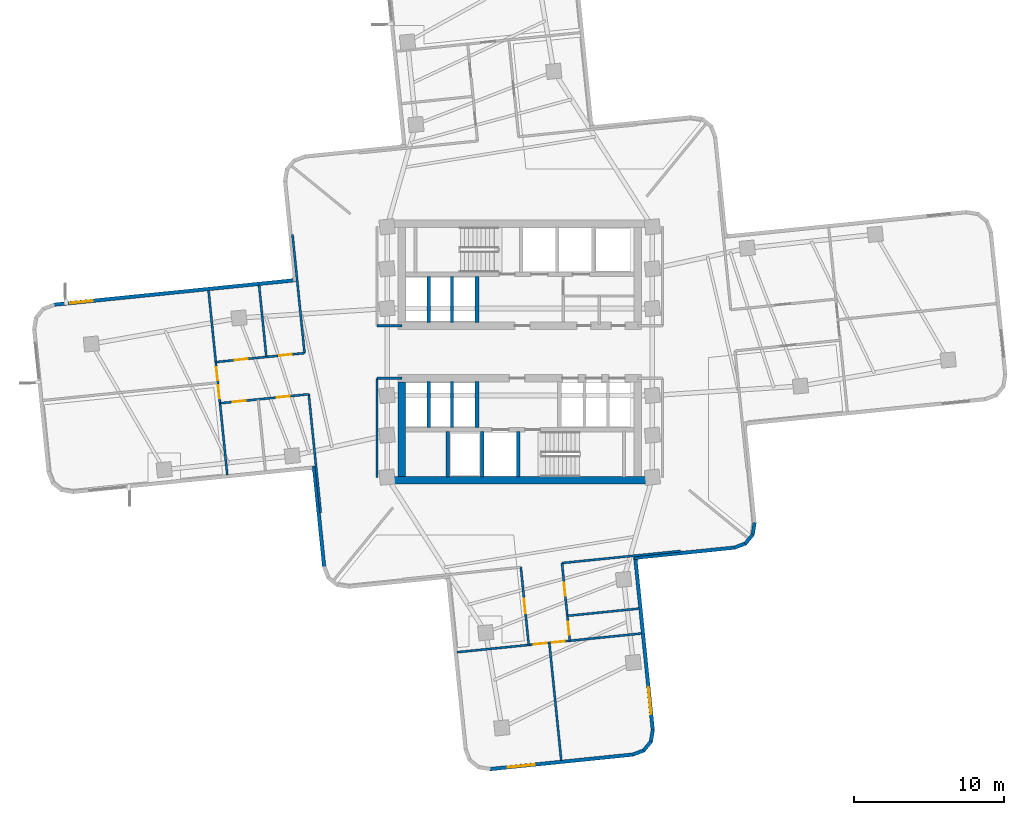
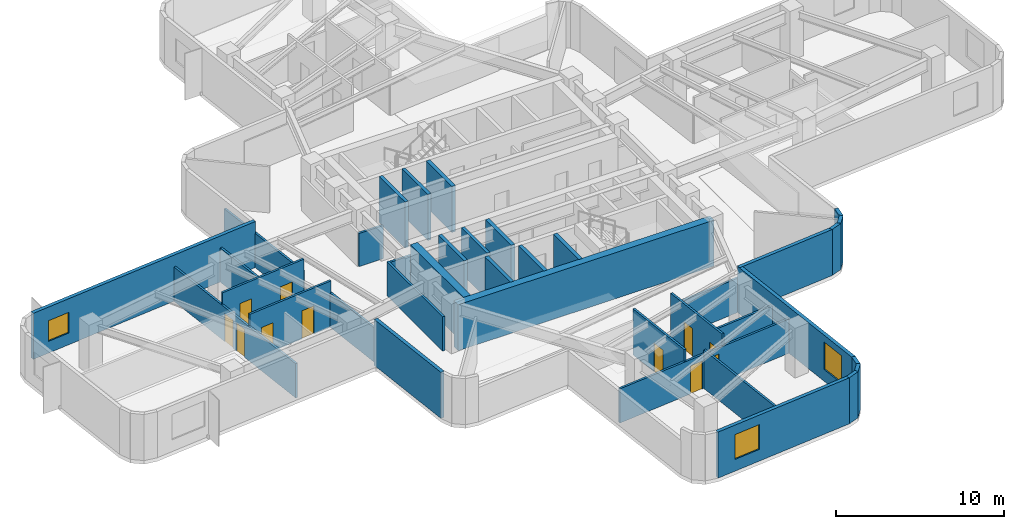
# One storey, part 3 of 9: 37 walls, 11 doors, 3 windows, 14 openings.
"""IFC4 building model written with IfcOpenShell, lengths in metres."""

from ifc_helpers import new_model, si_unit, direction, frame, frame_2d, origin, place, context, subcontext, project, spatial, rectangle, extrude, material, layer, layer_set, type_object, element, fill, save


model = new_model("IFC4")

# Units and contexts
model_context = context("Model", 3, precision=1e-05, world=origin(), true_north=direction((0.0, 1.0)))
body_context = subcontext(model_context, "Body", "Model", "MODEL_VIEW")
ifc_project = project(units=[si_unit("LENGTHUNIT", "METRE"), si_unit("AREAUNIT", "SQUARE_METRE"), si_unit("VOLUMEUNIT", "CUBIC_METRE"), si_unit("PLANEANGLEUNIT", "RADIAN"), si_unit("MASSUNIT", "GRAM", prefix="KILO")], contexts=[model_context])

# Site, building, storey
site_placement = place(None, origin())
site = spatial("IfcSite", under=ifc_project, at=site_placement, CompositionType="ELEMENT")
building_placement = place(site_placement, origin())
building = spatial("IfcBuilding", under=site, at=building_placement, Name="Solmarez Civic Tower", CompositionType="ELEMENT")
storey_placement = place(building_placement, frame((0.0, 0.0, 71.280029296875)))
storey = spatial("IfcBuildingStorey", under=building, at=storey_placement, Name="L18", CompositionType="ELEMENT", Elevation=71.280029296875)

# Walls
ifc_material_1 = material(Name="Concrete C60/75", Category="concrete")
ifc_layer_1 = layer(ifc_material_1, 0.5)
ifc_layer_set_1 = layer_set([ifc_layer_1], Name="Concrete C60/75")
wall_type_1 = type_object("IfcWallType", Name="WALL-CORE-500", PredefinedType="SHEAR", material=ifc_layer_set_1)
wall_1_placement = place(storey_placement, frame((8.780029296875, -8.56005859375, 0.0), z_axis=(0.0, 0.0, 1.0), x_axis=(-1.0, 0.0, 0.0)))
element("IfcWall", 1, at=wall_1_placement, inside=storey, type_object=wall_type_1, Name="L18 Split-Core Structural Wall SCW-S-L18", PredefinedType="SHEAR", context=body_context, shape_type="SweptSolid", body=[
    extrude(rectangle(XDim=17.56005859375, YDim=0.5, at=frame_2d((8.780029296875, 0.0))), origin(), (0.0, 0.0, 1.0), 3.340087890625),
])
wall_2_placement = place(storey_placement, frame((-7.8701171875, -8.31005859375, 0.0), z_axis=(0.0, 0.0, 1.0), x_axis=(0.0, 1.0, 0.0)))
element("IfcWall", 2, at=wall_2_placement, inside=storey, type_object=wall_type_1, Name="L18 Split-Core Structural Wall SCW-W-L18", PredefinedType="SHEAR", context=body_context, shape_type="SweptSolid", body=[
    extrude(rectangle(XDim=6.31005859375, YDim=0.5, at=frame_2d((3.155029296875, 0.0))), origin(), (0.0, 0.0, 1.0), 3.340087890625),
])

# Wall, opening, window
ifc_material_2 = material(Name="Precast concrete C40/50", Category="concrete")
ifc_layer_2 = layer(ifc_material_2, 0.239990234375)
ifc_layer_set_2 = layer_set([ifc_layer_2], Name="Precast concrete C40/50")
wall_type_2 = type_object("IfcWallType", Name="WALL-EXT-240", PredefinedType="SOLIDWALL", material=ifc_layer_set_2)
wall_3_placement = place(storey_placement, frame((-31.0869140625, 3.154052734375, 0.0), z_axis=(0.0, 0.0, 1.0), x_axis=(0.994872777564, 0.101134348577, 0.0)))
wall_3 = element("IfcWall", 3, at=wall_3_placement, inside=storey, type_object=wall_type_2, Name="L18 Exterior Precast Wall 10", PredefinedType="SOLIDWALL", context=body_context, shape_type="SweptSolid", body=[
    extrude(rectangle(XDim=16.275390625, YDim=0.239990234375, at=frame_2d((8.1376953125, 0.0))), origin(), (0.0, 0.0, 1.0), 3.340087890625),
])
opening_1_placement = place(wall_3_placement, frame((1.10009765625, 0.0, 0.85009765625)))
opening_1 = element("IfcOpeningElement", 4, at=opening_1_placement, cuts=wall_3, Name="Opening W-14", PredefinedType="OPENING", context=body_context, shape_type="SweptSolid", body=[
    extrude(rectangle(XDim=1.5, YDim=1.5, at=frame_2d((0.75, 0.75))), frame((0.0, 0.1298828125, 0.0), z_axis=(0.0, -1.0, 0.0), x_axis=(1.0, 0.0, 0.0)), (0.0, 0.0, 1.0), 0.260009765625),
])
ifc_material_3 = material(Name="Solar Control Bronze-Tinted Insulating Glass", Category="glass")
window_type_1 = type_object("IfcWindowType", Name="WIN-1500X1500", PartitioningType="SINGLE_PANEL", PredefinedType="WINDOW", material=ifc_material_3)
window_1_placement = place(opening_1_placement, origin())
window_1 = element("IfcWindow", 5, at=window_1_placement, inside=storey, type_object=window_type_1, Name="L18 Exterior Facade Window 10", OverallHeight=1.5, OverallWidth=1.5, PartitioningType="SINGLE_PANEL", PredefinedType="WINDOW", context=body_context, shape_type="SweptSolid", body=[
    extrude(rectangle(XDim=1.5, YDim=1.5, at=frame_2d((0.75, 0.75))), frame((0.0, 0.030029296875, 0.0), z_axis=(0.0, -1.0, 0.0), x_axis=(1.0, 0.0, 0.0)), (0.0, 0.0, 1.0), 0.06005859375),
])
fill(opening_1, window_1)

# Walls
wall_4_placement = place(storey_placement, frame((15.6669921875, -11.385009765625, 0.0), z_axis=(0.0, 0.0, 1.0), x_axis=(-0.160156284613, -0.987091669755, 0.0)))
element("IfcWall", 6, at=wall_4_placement, inside=storey, type_object=wall_type_2, Name="L18 Exterior Precast Wall 50", PredefinedType="SOLIDWALL", context=body_context, shape_type="SweptSolid", body=[
    extrude(rectangle(XDim=0.830810546875, YDim=0.239990234375, at=frame_2d((0.41552734375, 0.0))), origin(), (0.0, 0.0, 1.0), 3.340087890625),
])
wall_5_placement = place(storey_placement, frame((15.553955078125, -12.160888671875, 0.0), z_axis=(0.0, 0.0, 1.0), x_axis=(-0.632027096542, -0.774946287969, 0.0)))
element("IfcWall", 7, at=wall_5_placement, inside=storey, type_object=wall_type_2, Name="L18 Exterior Precast Wall 51", PredefinedType="SOLIDWALL", context=body_context, shape_type="SweptSolid", body=[
    extrude(rectangle(XDim=0.813232421875, YDim=0.239990234375, at=frame_2d((0.40673828125, 0.0))), origin(), (0.0, 0.0, 1.0), 3.340087890625),
])
wall_6_placement = place(storey_placement, frame((15.0791015625, -12.762939453125, 0.0), z_axis=(0.0, 0.0, 1.0), x_axis=(-0.934687869602, -0.355469529522, 0.0)))
element("IfcWall", 8, at=wall_6_placement, inside=storey, type_object=wall_type_2, Name="L18 Exterior Precast Wall 52", PredefinedType="SOLIDWALL", context=body_context, shape_type="SweptSolid", body=[
    extrude(rectangle(XDim=0.830322265625, YDim=0.239990234375, at=frame_2d((0.4150390625, 0.0))), origin(), (0.0, 0.0, 1.0), 3.340087890625),
])
wall_7_placement = place(storey_placement, frame((14.35107421875, -13.0458984375, 0.0), z_axis=(0.0, 0.0, 1.0), x_axis=(-0.994861212257, -0.101248053545, 0.0)))
element("IfcWall", 9, at=wall_7_placement, inside=storey, type_object=wall_type_2, Name="L18 Exterior Precast Wall 53", PredefinedType="SOLIDWALL", context=body_context, shape_type="SweptSolid", body=[
    extrude(rectangle(XDim=6.77587890625, YDim=0.239990234375, at=frame_2d((3.387939453125, 0.0))), origin(), (0.0, 0.0, 1.0), 3.340087890625),
])

# Wall, opening, window
wall_8_placement = place(storey_placement, frame((7.696044921875, -13.6259765625, 0.0), z_axis=(0.0, 0.0, 1.0), x_axis=(0.101141181304, -0.994872082956, 0.0)))
wall_8 = element("IfcWall", 10, at=wall_8_placement, inside=storey, type_object=wall_type_2, Name="L18 Exterior Precast Wall 56", PredefinedType="SOLIDWALL", context=body_context, shape_type="SweptSolid", body=[
    extrude(rectangle(XDim=11.67578125, YDim=0.239990234375, at=frame_2d((5.837890625, 0.0))), origin(), (0.0, 0.0, 1.0), 3.340087890625),
])
opening_2_placement = place(wall_8_placement, frame((8.77587890625, 0.0, 0.85009765625)))
opening_2 = element("IfcOpeningElement", 11, at=opening_2_placement, cuts=wall_8, Name="Opening W-04", PredefinedType="OPENING", context=body_context, shape_type="SweptSolid", body=[
    extrude(rectangle(XDim=1.800048828125, YDim=2.0, at=frame_2d((0.89990234375, 1.0))), frame((0.0, 0.1298828125, 0.0), z_axis=(0.0, -1.0, 0.0), x_axis=(1.0, 0.0, 0.0)), (0.0, 0.0, 1.0), 0.260009765625),
])
window_type_2 = type_object("IfcWindowType", Name="WIN-1800X2000", PartitioningType="SINGLE_PANEL", PredefinedType="WINDOW", material=ifc_material_3)
window_2_placement = place(opening_2_placement, origin())
window_2 = element("IfcWindow", 12, at=window_2_placement, inside=storey, type_object=window_type_2, Name="L18 Exterior Facade Window 56", OverallHeight=2.0, OverallWidth=1.800048828125, PartitioningType="SINGLE_PANEL", PredefinedType="WINDOW", context=body_context, shape_type="SweptSolid", body=[
    extrude(rectangle(XDim=1.800048828125, YDim=2.0, at=frame_2d((0.89990234375, 1.0))), frame((0.0, 0.030029296875, 0.0), z_axis=(0.0, -1.0, 0.0), x_axis=(1.0, 0.0, 0.0)), (0.0, 0.0, 1.0), 0.06005859375),
])
fill(opening_2, window_2)

# Walls
wall_9_placement = place(storey_placement, frame((8.8779296875, -25.19189453125, 0.0), z_axis=(0.0, 0.0, 1.0), x_axis=(-0.159869937309, -0.987138087172, 0.0)))
element("IfcWall", 13, at=wall_9_placement, inside=storey, type_object=wall_type_2, Name="L18 Exterior Precast Wall 57", PredefinedType="SOLIDWALL", context=body_context, shape_type="SweptSolid", body=[
    extrude(rectangle(XDim=0.830810546875, YDim=0.239990234375, at=frame_2d((0.41552734375, 0.0))), origin(), (0.0, 0.0, 1.0), 3.340087890625),
])
wall_10_placement = place(storey_placement, frame((8.764892578125, -25.968017578125, 0.0), z_axis=(0.0, 0.0, 1.0), x_axis=(-0.632894553208, -0.774238002503, 0.0)))
element("IfcWall", 14, at=wall_10_placement, inside=storey, type_object=wall_type_2, Name="L18 Exterior Precast Wall 58", PredefinedType="SOLIDWALL", context=body_context, shape_type="SweptSolid", body=[
    extrude(rectangle(XDim=0.8134765625, YDim=0.239990234375, at=frame_2d((0.40673828125, 0.0))), origin(), (0.0, 0.0, 1.0), 3.340087890625),
])
wall_11_placement = place(storey_placement, frame((8.2890625, -26.570068359375, 0.0), z_axis=(0.0, 0.0, 1.0), x_axis=(-0.934636879952, -0.355603575113, 0.0)))
element("IfcWall", 15, at=wall_11_placement, inside=storey, type_object=wall_type_2, Name="L18 Exterior Precast Wall 59", PredefinedType="SOLIDWALL", context=body_context, shape_type="SweptSolid", body=[
    extrude(rectangle(XDim=0.829345703125, YDim=0.239990234375, at=frame_2d((0.41455078125, 0.0))), origin(), (0.0, 0.0, 1.0), 3.340087890625),
])

# Wall, opening, window
wall_12_placement = place(storey_placement, frame((7.56201171875, -26.85302734375, 0.0), z_axis=(0.0, 0.0, 1.0), x_axis=(-0.994872257291, -0.101139466448, 0.0)))
wall_12 = element("IfcWall", 16, at=wall_12_placement, inside=storey, type_object=wall_type_2, Name="L18 Exterior Precast Wall 60", PredefinedType="SOLIDWALL", context=body_context, shape_type="SweptSolid", body=[
    extrude(rectangle(XDim=9.619384765625, YDim=0.239990234375, at=frame_2d((4.8095703125, 0.0))), origin(), (0.0, 0.0, 1.0), 3.340087890625),
])
opening_3_placement = place(wall_12_placement, frame((6.60302734375, 0.0, 0.85009765625)))
opening_3 = element("IfcOpeningElement", 17, at=opening_3_placement, cuts=wall_12, Name="Opening W-08", PredefinedType="OPENING", context=body_context, shape_type="SweptSolid", body=[
    extrude(rectangle(XDim=1.800048828125, YDim=1.800048828125, at=frame_2d((0.89990234375, 0.89990234375))), frame((0.0, 0.1298828125, 0.0), z_axis=(0.0, -1.0, 0.0), x_axis=(1.0, 0.0, 0.0)), (0.0, 0.0, 1.0), 0.260009765625),
])
window_type_3 = type_object("IfcWindowType", Name="WIN-1800X1800", PartitioningType="SINGLE_PANEL", PredefinedType="WINDOW", material=ifc_material_3)
window_3_placement = place(opening_3_placement, origin())
window_3 = element("IfcWindow", 18, at=window_3_placement, inside=storey, type_object=window_type_3, Name="L18 Exterior Facade Window 60", OverallHeight=1.800048828125, OverallWidth=1.800048828125, PartitioningType="SINGLE_PANEL", PredefinedType="WINDOW", context=body_context, shape_type="SweptSolid", body=[
    extrude(rectangle(XDim=1.800048828125, YDim=1.800048828125, at=frame_2d((0.89990234375, 0.89990234375))), frame((0.0, 0.030029296875, 0.0), z_axis=(0.0, -1.0, 0.0), x_axis=(1.0, 0.0, 0.0)), (0.0, 0.0, 1.0), 0.06005859375),
])
fill(opening_3, window_3)

# Walls
wall_13_placement = place(storey_placement, frame((-13.0458984375, -14.35107421875, 0.0), z_axis=(0.0, 0.0, 1.0), x_axis=(-0.101248053545, 0.994861212257, 0.0)))
element("IfcWall", 19, at=wall_13_placement, inside=storey, type_object=wall_type_2, Name="L18 Exterior Precast Wall 71", PredefinedType="SOLIDWALL", context=body_context, shape_type="SweptSolid", body=[
    extrude(rectangle(XDim=6.77587890625, YDim=0.239990234375, at=frame_2d((3.387939453125, 0.0))), origin(), (0.0, 0.0, 1.0), 3.340087890625),
])
ifc_material_4 = material(Name="Gypsum Board Acoustic Steel-Stud Partition", Category="steel")
ifc_layer_3 = layer(ifc_material_4, 0.14990234375)
ifc_layer_set_3 = layer_set([ifc_layer_3], Name="Gypsum Board Acoustic Steel-Stud Partition")
wall_type_3 = type_object("IfcWallType", Name="WALL-INT-FIRE-150", PredefinedType="PARTITIONING", material=ifc_layer_set_3)
wall_14_placement = place(storey_placement, frame((-7.85009765625, 1.75, 0.0), z_axis=(0.0, 0.0, 1.0), x_axis=(-1.0, 0.0, 0.0)))
element("IfcWall", 20, at=wall_14_placement, inside=storey, type_object=wall_type_3, Name="L18 Interior Partition CHW-L18-WN3", PredefinedType="PARTITIONING", context=body_context, shape_type="SweptSolid", body=[
    extrude(rectangle(XDim=1.669921875, YDim=0.14990234375, at=frame_2d((0.8349609375, 0.0))), origin(), (0.0, 0.0, 1.0), 2.405029296875),
])
wall_15_placement = place(storey_placement, frame((-9.52001953125, -8.3798828125, 0.0), z_axis=(0.0, 0.0, 1.0), x_axis=(0.0, 1.0, 0.0)))
element("IfcWall", 21, at=wall_15_placement, inside=storey, type_object=wall_type_3, Name="L18 Interior Partition CHW-L18-WS1", PredefinedType="PARTITIONING", context=body_context, shape_type="SweptSolid", body=[
    extrude(rectangle(XDim=6.6298828125, YDim=0.14990234375, at=frame_2d((3.31494140625, 0.0))), origin(), (0.0, 0.0, 1.0), 2.486083984375),
])
wall_16_placement = place(storey_placement, frame((-7.85009765625, -1.75, 0.0), z_axis=(0.0, 0.0, 1.0), x_axis=(-1.0, 0.0, 0.0)))
element("IfcWall", 22, at=wall_16_placement, inside=storey, type_object=wall_type_3, Name="L18 Interior Partition CHW-L18-WS3", PredefinedType="PARTITIONING", context=body_context, shape_type="SweptSolid", body=[
    extrude(rectangle(XDim=1.669921875, YDim=0.14990234375, at=frame_2d((0.8349609375, 0.0))), origin(), (0.0, 0.0, 1.0), 2.405029296875),
])
ifc_layer_4 = layer(ifc_material_4, 0.14501953125)
ifc_layer_set_4 = layer_set([ifc_layer_4], Name="Gypsum Board Acoustic Steel-Stud Partition")
wall_type_4 = type_object("IfcWallType", Name="WALL-INT-PART-150", PredefinedType="PARTITIONING", material=ifc_layer_set_4)
for number, where, z_axis, x_axis, name in (
    (23, (-14.077880859375, -2.806884765625, 0.0), (0.0, 0.0, 1.0), (0.100884076592, -0.994898187299, 0.0), "L18 Interior Partition PT-L18-W-EFL"),
    (24, (-15.158935546875, 7.827880859375, 0.0), (0.0, 0.0, 1.0), (0.101130341041, -0.994873184944, 0.0), "L18 Interior Partition PT-L18-W-EFR"),
):
    element("IfcWall", number, at=place(storey_placement, frame(where, z_axis=z_axis, x_axis=x_axis)), inside=storey, type_object=wall_type_4, Name=name, PredefinedType="PARTITIONING", context=body_context, shape_type="SweptSolid", body=[
        extrude(rectangle(XDim=7.94970703125, YDim=0.14501953125, at=frame_2d((3.974853515625, 0.0))), origin(), (0.0, 0.0, 1.0), 2.486083984375),
    ])
wall_17_placement = place(storey_placement, frame((-17.389892578125, 4.4599609375, 0.0), z_axis=(0.0, 0.0, 1.0), x_axis=(0.101126974355, -0.994873527167, 0.0)))
element("IfcWall", 25, at=wall_17_placement, inside=storey, type_object=wall_type_4, Name="L18 Interior Partition PT-L18-W-RM", PredefinedType="PARTITIONING", context=body_context, shape_type="SweptSolid", body=[
    extrude(rectangle(XDim=4.794677734375, YDim=0.14501953125, at=frame_2d((2.3974609375, 0.0))), origin(), (0.0, 0.0, 1.0), 2.486083984375),
])

# Wall, openings, doors
wall_18_placement = place(storey_placement, frame((-19.9970703125, -3.41796875, 0.0), z_axis=(0.0, 0.0, 1.0), x_axis=(0.994885342511, 0.101010669028, 0.0)))
wall_18 = element("IfcWall", 26, at=wall_18_placement, inside=storey, type_object=wall_type_4, Name="L18 Interior Partition PT-L18-W-SL", PredefinedType="PARTITIONING", context=body_context, shape_type="SweptSolid", body=[
    extrude(rectangle(XDim=5.95068359375, YDim=0.14501953125, at=frame_2d((2.975341796875, 0.0))), origin(), (0.0, 0.0, 1.0), 3.340087890625),
])
opening_4_placement = place(wall_18_placement, frame((3.824951171875, 0.0, 0.0)))
opening_4 = element("IfcOpeningElement", 27, at=opening_4_placement, cuts=wall_18, Name="Opening D-14", PredefinedType="OPENING", context=body_context, shape_type="SweptSolid", body=[
    extrude(rectangle(XDim=0.860107421875, YDim=2.0400390625, at=frame_2d((0.43017578125, 1.02001953125))), frame((0.0, 0.08251953125, 0.0), z_axis=(0.0, -1.0, 0.0), x_axis=(1.0, 0.0, 0.0)), (0.0, 0.0, 1.0), 0.1650390625),
])
opening_5_placement = place(wall_18_placement, frame((0.85009765625, 0.0, 0.0)))
opening_5 = element("IfcOpeningElement", 28, at=opening_5_placement, cuts=wall_18, Name="Opening D-14", PredefinedType="OPENING", context=body_context, shape_type="SweptSolid", body=[
    extrude(rectangle(XDim=0.860107421875, YDim=2.0400390625, at=frame_2d((0.43017578125, 1.02001953125))), frame((0.0, 0.08251953125, 0.0), z_axis=(0.0, -1.0, 0.0), x_axis=(1.0, 0.0, 0.0)), (0.0, 0.0, 1.0), 0.1650390625),
])
ifc_material_5 = material(Name="Timber Storage and Pantry Door", Category="wood")
door_type_1 = type_object("IfcDoorType", Name="DOOR-INT-850", OperationType="NOTDEFINED", PredefinedType="DOOR", material=ifc_material_5)
door_1_placement = place(opening_4_placement, origin())
door_1 = element("IfcDoor", 29, at=door_1_placement, inside=storey, type_object=door_type_1, Name="L18 Municipal Mailroom First West Door", OperationType="SINGLE_SWING_LEFT", OverallHeight=2.0400390625, OverallWidth=0.860107421875, PredefinedType="DOOR", context=body_context, shape_type="SweptSolid", body=[
    extrude(rectangle(XDim=0.860107421875, YDim=2.0400390625, at=frame_2d((0.43017578125, 1.02001953125))), frame((0.0, 0.02490234375, 0.0), z_axis=(0.0, -1.0, 0.0), x_axis=(1.0, 0.0, 0.0)), (0.0, 0.0, 1.0), 0.050048828125),
])
fill(opening_4, door_1)
door_2_placement = place(opening_5_placement, origin())
door_2 = element("IfcDoor", 30, at=door_2_placement, inside=storey, type_object=door_type_1, Name="L18 Staff Tea Pantry Second West Door", OperationType="SINGLE_SWING_RIGHT", OverallHeight=2.0400390625, OverallWidth=0.860107421875, PredefinedType="DOOR", context=body_context, shape_type="SweptSolid", body=[
    extrude(rectangle(XDim=0.860107421875, YDim=2.0400390625, at=frame_2d((0.43017578125, 1.02001953125))), frame((0.0, 0.02490234375, 0.0), z_axis=(0.0, -1.0, 0.0), x_axis=(1.0, 0.0, 0.0)), (0.0, 0.0, 1.0), 0.050048828125),
])
fill(opening_5, door_2)

wall_19_placement = place(storey_placement, frame((-14.35595703125, -0.071044921875, 0.0), z_axis=(0.0, 0.0, 1.0), x_axis=(-0.994884923871, -0.101014792254, 0.0)))
wall_19 = element("IfcWall", 31, at=wall_19_placement, inside=storey, type_object=wall_type_4, Name="L18 Interior Partition PT-L18-W-SR", PredefinedType="PARTITIONING", context=body_context, shape_type="SweptSolid", body=[
    extrude(rectangle(XDim=5.950439453125, YDim=0.14501953125, at=frame_2d((2.97509765625, 0.0))), origin(), (0.0, 0.0, 1.0), 3.340087890625),
])
opening_6_placement = place(wall_19_placement, frame((0.85009765625, 0.0, 0.0)))
opening_6 = element("IfcOpeningElement", 32, at=opening_6_placement, cuts=wall_19, Name="Opening D-14", PredefinedType="OPENING", context=body_context, shape_type="SweptSolid", body=[
    extrude(rectangle(XDim=0.860107421875, YDim=2.0400390625, at=frame_2d((0.43017578125, 1.02001953125))), frame((0.0, 0.08251953125, 0.0), z_axis=(0.0, -1.0, 0.0), x_axis=(1.0, 0.0, 0.0)), (0.0, 0.0, 1.0), 0.1650390625),
])
opening_7_placement = place(wall_19_placement, frame((3.824951171875, 0.0, 0.0)))
opening_7 = element("IfcOpeningElement", 33, at=opening_7_placement, cuts=wall_19, Name="Opening D-14", PredefinedType="OPENING", context=body_context, shape_type="SweptSolid", body=[
    extrude(rectangle(XDim=0.860107421875, YDim=2.0400390625, at=frame_2d((0.43017578125, 1.02001953125))), frame((0.0, 0.08251953125, 0.0), z_axis=(0.0, -1.0, 0.0), x_axis=(1.0, 0.0, 0.0)), (0.0, 0.0, 1.0), 0.1650390625),
])
door_3_placement = place(opening_6_placement, origin())
door_3 = element("IfcDoor", 34, at=door_3_placement, inside=storey, type_object=door_type_1, Name="L18 Co-Working Policy Workspace Third West Door", OperationType="SINGLE_SWING_RIGHT", OverallHeight=2.0400390625, OverallWidth=0.860107421875, PredefinedType="DOOR", context=body_context, shape_type="SweptSolid", body=[
    extrude(rectangle(XDim=0.860107421875, YDim=2.0400390625, at=frame_2d((0.43017578125, 1.02001953125))), frame((0.0, 0.02490234375, 0.0), z_axis=(0.0, -1.0, 0.0), x_axis=(1.0, 0.0, 0.0)), (0.0, 0.0, 1.0), 0.050048828125),
])
fill(opening_6, door_3)
door_4_placement = place(opening_7_placement, origin())
door_4 = element("IfcDoor", 35, at=door_4_placement, inside=storey, type_object=door_type_1, Name="L18 Breakout Huddle Room Fourth West Door", OperationType="SINGLE_SWING_LEFT", OverallHeight=2.0400390625, OverallWidth=0.860107421875, PredefinedType="DOOR", context=body_context, shape_type="SweptSolid", body=[
    extrude(rectangle(XDim=0.860107421875, YDim=2.0400390625, at=frame_2d((0.43017578125, 1.02001953125))), frame((0.0, 0.02490234375, 0.0), z_axis=(0.0, -1.0, 0.0), x_axis=(1.0, 0.0, 0.0)), (0.0, 0.0, 1.0), 0.050048828125),
])
fill(opening_7, door_4)

wall_20_placement = place(storey_placement, frame((-19.510009765625, -8.208984375, 0.0), z_axis=(0.0, 0.0, 1.0), x_axis=(-0.101042864496, 0.99488207318, 0.0)))
wall_20 = element("IfcWall", 36, at=wall_20_placement, inside=storey, type_object=wall_type_4, Name="L18 Interior Partition PT-L18-W-END", PredefinedType="PARTITIONING", context=body_context, shape_type="SweptSolid", body=[
    extrude(rectangle(XDim=12.390380859375, YDim=0.14501953125, at=frame_2d((6.1953125, 0.0))), origin(), (0.0, 0.0, 1.0), 2.486083984375),
])
opening_8_placement = place(wall_20_placement, frame((6.364990234375, 0.0, 0.0)))
opening_8 = element("IfcOpeningElement", 37, at=opening_8_placement, cuts=wall_20, Name="Opening D-14", PredefinedType="OPENING", context=body_context, shape_type="SweptSolid", body=[
    extrude(rectangle(XDim=0.860107421875, YDim=2.0400390625, at=frame_2d((0.43017578125, 1.02001953125))), frame((0.0, 0.08251953125, 0.0), z_axis=(0.0, -1.0, 0.0), x_axis=(1.0, 0.0, 0.0)), (0.0, 0.0, 1.0), 0.1650390625),
])
opening_9_placement = place(wall_20_placement, frame((5.1650390625, 0.0, 0.0)))
opening_9 = element("IfcOpeningElement", 38, at=opening_9_placement, cuts=wall_20, Name="Opening D-14", PredefinedType="OPENING", context=body_context, shape_type="SweptSolid", body=[
    extrude(rectangle(XDim=0.860107421875, YDim=2.0400390625, at=frame_2d((0.43017578125, 1.02001953125))), frame((0.0, 0.08251953125, 0.0), z_axis=(0.0, -1.0, 0.0), x_axis=(1.0, 0.0, 0.0)), (0.0, 0.0, 1.0), 0.1650390625),
])
door_5_placement = place(opening_8_placement, origin())
door_5 = element("IfcDoor", 39, at=door_5_placement, inside=storey, type_object=door_type_1, Name="L18 Breakout Huddle Room Sixth West Door", OperationType="SINGLE_SWING_RIGHT", OverallHeight=2.0400390625, OverallWidth=0.860107421875, PredefinedType="DOOR", context=body_context, shape_type="SweptSolid", body=[
    extrude(rectangle(XDim=0.860107421875, YDim=2.0400390625, at=frame_2d((0.43017578125, 1.02001953125))), frame((0.0, 0.02490234375, 0.0), z_axis=(0.0, -1.0, 0.0), x_axis=(1.0, 0.0, 0.0)), (0.0, 0.0, 1.0), 0.050048828125),
])
fill(opening_8, door_5)
door_6_placement = place(opening_9_placement, origin())
door_6 = element("IfcDoor", 40, at=door_6_placement, inside=storey, type_object=door_type_1, Name="L18 Co-Working Policy Workspace Fifth West Door", OperationType="SINGLE_SWING_LEFT", OverallHeight=2.0400390625, OverallWidth=0.860107421875, PredefinedType="DOOR", context=body_context, shape_type="SweptSolid", body=[
    extrude(rectangle(XDim=0.860107421875, YDim=2.0400390625, at=frame_2d((0.43017578125, 1.02001953125))), frame((0.0, 0.02490234375, 0.0), z_axis=(0.0, -1.0, 0.0), x_axis=(1.0, 0.0, 0.0)), (0.0, 0.0, 1.0), 0.050048828125),
])
fill(opening_9, door_6)

# Walls
wall_21_placement = place(storey_placement, frame((2.806884765625, -14.077880859375, 0.0), z_axis=(0.0, 0.0, 1.0), x_axis=(0.994898187299, 0.100884076592, 0.0)))
element("IfcWall", 41, at=wall_21_placement, inside=storey, type_object=wall_type_4, Name="L18 Interior Partition PT-L18-S-EFL", PredefinedType="PARTITIONING", context=body_context, shape_type="SweptSolid", body=[
    extrude(rectangle(XDim=7.94970703125, YDim=0.14501953125, at=frame_2d((3.974853515625, 0.0))), origin(), (0.0, 0.0, 1.0), 2.486083984375),
])
wall_22_placement = place(storey_placement, frame((3.195068359375, -17.596923828125, 0.0), z_axis=(0.0, 0.0, 1.0), x_axis=(0.994893999082, 0.100925371388, 0.0)))
element("IfcWall", 42, at=wall_22_placement, inside=storey, type_object=wall_type_4, Name="L18 Interior Partition PT-L18-S-LM", PredefinedType="PARTITIONING", context=body_context, shape_type="SweptSolid", body=[
    extrude(rectangle(XDim=4.79443359375, YDim=0.14501953125, at=frame_2d((2.397216796875, 0.0))), origin(), (0.0, 0.0, 1.0), 2.486083984375),
])

# Wall, openings, doors
wall_23_placement = place(storey_placement, frame((3.343994140625, -19.260986328125, 0.0), z_axis=(0.0, 0.0, 1.0), x_axis=(-0.101155024417, 0.994870675533, 0.0)))
wall_23 = element("IfcWall", 43, at=wall_23_placement, inside=storey, type_object=wall_type_4, Name="L18 Interior Partition PT-L18-S-SL", PredefinedType="PARTITIONING", context=body_context, shape_type="SweptSolid", body=[
    extrude(rectangle(XDim=5.210693359375, YDim=0.14501953125, at=frame_2d((2.60546875, 0.0))), origin(), (0.0, 0.0, 1.0), 3.340087890625),
])
opening_10_placement = place(wall_23_placement, frame((3.010986328125, 0.0, 0.0)))
opening_10 = element("IfcOpeningElement", 44, at=opening_10_placement, cuts=wall_23, Name="Opening D-14", PredefinedType="OPENING", context=body_context, shape_type="SweptSolid", body=[
    extrude(rectangle(XDim=0.860107421875, YDim=2.0400390625, at=frame_2d((0.43017578125, 1.02001953125))), frame((0.0, 0.08251953125, 0.0), z_axis=(0.0, -1.0, 0.0), x_axis=(1.0, 0.0, 0.0)), (0.0, 0.0, 1.0), 0.1650390625),
])
opening_11_placement = place(wall_23_placement, frame((0.406005859375, 0.0, 0.0)))
opening_11 = element("IfcOpeningElement", 45, at=opening_11_placement, cuts=wall_23, Name="Opening D-14", PredefinedType="OPENING", context=body_context, shape_type="SweptSolid", body=[
    extrude(rectangle(XDim=0.860107421875, YDim=2.0400390625, at=frame_2d((0.43017578125, 1.02001953125))), frame((0.0, 0.08251953125, 0.0), z_axis=(0.0, -1.0, 0.0), x_axis=(1.0, 0.0, 0.0)), (0.0, 0.0, 1.0), 0.1650390625),
])
door_7_placement = place(opening_10_placement, origin())
door_7 = element("IfcDoor", 46, at=door_7_placement, inside=storey, type_object=door_type_1, Name="L18 Staff Tea Pantry First South Door", OperationType="SINGLE_SWING_LEFT", OverallHeight=2.0400390625, OverallWidth=0.860107421875, PredefinedType="DOOR", context=body_context, shape_type="SweptSolid", body=[
    extrude(rectangle(XDim=0.860107421875, YDim=2.0400390625, at=frame_2d((0.43017578125, 1.02001953125))), frame((0.0, 0.02490234375, 0.0), z_axis=(0.0, -1.0, 0.0), x_axis=(1.0, 0.0, 0.0)), (0.0, 0.0, 1.0), 0.050048828125),
])
fill(opening_10, door_7)
door_8_placement = place(opening_11_placement, origin())
door_8 = element("IfcDoor", 47, at=door_8_placement, inside=storey, type_object=door_type_1, Name="L18 Co-Working Policy Workspace Second South Door", OperationType="SINGLE_SWING_RIGHT", OverallHeight=2.0400390625, OverallWidth=0.860107421875, PredefinedType="DOOR", context=body_context, shape_type="SweptSolid", body=[
    extrude(rectangle(XDim=0.860107421875, YDim=2.0400390625, at=frame_2d((0.43017578125, 1.02001953125))), frame((0.0, 0.02490234375, 0.0), z_axis=(0.0, -1.0, 0.0), x_axis=(1.0, 0.0, 0.0)), (0.0, 0.0, 1.0), 0.050048828125),
])
fill(opening_11, door_8)

# Wall, opening, door
wall_24_placement = place(storey_placement, frame((0.071044921875, -14.35595703125, 0.0), z_axis=(0.0, 0.0, 1.0), x_axis=(0.10110865078, -0.994875389553, 0.0)))
wall_24 = element("IfcWall", 48, at=wall_24_placement, inside=storey, type_object=wall_type_4, Name="L18 Interior Partition PT-L18-S-SR", PredefinedType="PARTITIONING", context=body_context, shape_type="SweptSolid", body=[
    extrude(rectangle(XDim=5.210693359375, YDim=0.14501953125, at=frame_2d((2.60546875, 0.0))), origin(), (0.0, 0.0, 1.0), 3.340087890625),
])
opening_12_placement = place(wall_24_placement, frame((2.125, 0.0, 0.0)))
opening_12 = element("IfcOpeningElement", 49, at=opening_12_placement, cuts=wall_24, Name="Opening D-10", PredefinedType="OPENING", context=body_context, shape_type="SweptSolid", body=[
    extrude(rectangle(XDim=0.949951171875, YDim=2.080078125, at=frame_2d((0.47509765625, 1.0400390625))), frame((0.0, 0.08251953125, 0.0), z_axis=(0.0, -1.0, 0.0), x_axis=(1.0, 0.0, 0.0)), (0.0, 0.0, 1.0), 0.1650390625),
])
ifc_material_6 = material(Name="Solid-Core Timber Ministry Office Door", Category="wood")
door_type_2 = type_object("IfcDoorType", Name="DOOR-INT-950", OperationType="NOTDEFINED", PredefinedType="DOOR", material=ifc_material_6)
door_9_placement = place(opening_12_placement, origin())
door_9 = element("IfcDoor", 50, at=door_9_placement, inside=storey, type_object=door_type_2, Name="L18 Breakout Huddle Room Third South Door", OperationType="SINGLE_SWING_RIGHT", OverallHeight=2.080078125, OverallWidth=0.949951171875, PredefinedType="DOOR", context=body_context, shape_type="SweptSolid", body=[
    extrude(rectangle(XDim=0.949951171875, YDim=2.080078125, at=frame_2d((0.47509765625, 1.0400390625))), frame((0.0, 0.02490234375, 0.0), z_axis=(0.0, -1.0, 0.0), x_axis=(1.0, 0.0, 0.0)), (0.0, 0.0, 1.0), 0.050048828125),
])
fill(opening_12, door_9)

# Wall
wall_25_placement = place(storey_placement, frame((1.97705078125, -19.4599609375, 0.0), z_axis=(0.0, 0.0, 1.0), x_axis=(0.101083192058, -0.99487797658, 0.0)))
element("IfcWall", 51, at=wall_25_placement, inside=storey, type_object=wall_type_4, Name="L18 Interior Partition PT-L18-S-TM", PredefinedType="PARTITIONING", context=body_context, shape_type="SweptSolid", body=[
    extrude(rectangle(XDim=7.8349609375, YDim=0.14501953125, at=frame_2d((3.91748046875, 0.0))), origin(), (0.0, 0.0, 1.0), 2.79296875),
])

# Wall, openings, doors
wall_26_placement = place(storey_placement, frame((8.134033203125, -18.77392578125, 0.0), z_axis=(0.0, 0.0, 1.0), x_axis=(-0.994882274346, -0.101040883761, 0.0)))
wall_26 = element("IfcWall", 52, at=wall_26_placement, inside=storey, type_object=wall_type_4, Name="L18 Interior Partition PT-L18-S-END", PredefinedType="PARTITIONING", context=body_context, shape_type="SweptSolid", body=[
    extrude(rectangle(XDim=12.390625, YDim=0.14501953125, at=frame_2d((6.1953125, 0.0))), origin(), (0.0, 0.0, 1.0), 2.486083984375),
])
opening_13_placement = place(wall_26_placement, frame((6.364990234375, 0.0, 0.0)))
opening_13 = element("IfcOpeningElement", 53, at=opening_13_placement, cuts=wall_26, Name="Opening D-14", PredefinedType="OPENING", context=body_context, shape_type="SweptSolid", body=[
    extrude(rectangle(XDim=0.860107421875, YDim=2.0400390625, at=frame_2d((0.43017578125, 1.02001953125))), frame((0.0, 0.08251953125, 0.0), z_axis=(0.0, -1.0, 0.0), x_axis=(1.0, 0.0, 0.0)), (0.0, 0.0, 1.0), 0.1650390625),
])
opening_14_placement = place(wall_26_placement, frame((5.1650390625, 0.0, 0.0)))
opening_14 = element("IfcOpeningElement", 54, at=opening_14_placement, cuts=wall_26, Name="Opening D-14", PredefinedType="OPENING", context=body_context, shape_type="SweptSolid", body=[
    extrude(rectangle(XDim=0.860107421875, YDim=2.0400390625, at=frame_2d((0.43017578125, 1.02001953125))), frame((0.0, 0.08251953125, 0.0), z_axis=(0.0, -1.0, 0.0), x_axis=(1.0, 0.0, 0.0)), (0.0, 0.0, 1.0), 0.1650390625),
])
door_10_placement = place(opening_13_placement, origin())
door_10 = element("IfcDoor", 55, at=door_10_placement, inside=storey, type_object=door_type_1, Name="L18 Municipal Mailroom Sixth South Door", OperationType="SINGLE_SWING_RIGHT", OverallHeight=2.0400390625, OverallWidth=0.860107421875, PredefinedType="DOOR", context=body_context, shape_type="SweptSolid", body=[
    extrude(rectangle(XDim=0.860107421875, YDim=2.0400390625, at=frame_2d((0.43017578125, 1.02001953125))), frame((0.0, 0.02490234375, 0.0), z_axis=(0.0, -1.0, 0.0), x_axis=(1.0, 0.0, 0.0)), (0.0, 0.0, 1.0), 0.050048828125),
])
fill(opening_13, door_10)
door_11_placement = place(opening_14_placement, origin())
door_11 = element("IfcDoor", 56, at=door_11_placement, inside=storey, type_object=door_type_1, Name="L18 Breakout Huddle Room Fifth South Door", OperationType="SINGLE_SWING_LEFT", OverallHeight=2.0400390625, OverallWidth=0.860107421875, PredefinedType="DOOR", context=body_context, shape_type="SweptSolid", body=[
    extrude(rectangle(XDim=0.860107421875, YDim=2.0400390625, at=frame_2d((0.43017578125, 1.02001953125))), frame((0.0, 0.02490234375, 0.0), z_axis=(0.0, -1.0, 0.0), x_axis=(1.0, 0.0, 0.0)), (0.0, 0.0, 1.0), 0.050048828125),
])
fill(opening_14, door_11)

# Walls
ifc_material_7 = material(Name="Concrete C50/60", Category="concrete")
ifc_layer_5 = layer(ifc_material_7, 0.300048828125)
ifc_layer_set_5 = layer_set([ifc_layer_5], Name="Concrete C50/60")
wall_type_5 = type_object("IfcWallType", Name="WALL-STR-300", PredefinedType="SOLIDWALL", material=ifc_layer_set_5)
wall_27_placement = place(storey_placement, frame((-2.85009765625, 1.97998046875, 0.0), z_axis=(0.0, 0.0, 1.0), x_axis=(0.0, 1.0, 0.0)))
element("IfcWall", 57, at=wall_27_placement, inside=storey, type_object=wall_type_5, Name="L18 Split-Core Structural Wall SHW-NL1-L18", PredefinedType="SOLIDWALL", context=body_context, shape_type="SweptSolid", body=[
    extrude(rectangle(XDim=3.070068359375, YDim=0.25, at=frame_2d((1.53515625, 0.0))), origin(), (0.0, 0.0, 1.0), 3.340087890625),
])
for number, where, z_axis, x_axis, name in (
    (58, (-0.10009765625, -8.340087890625, 0.0), (0.0, 0.0, 1.0), (0.0, 1.0, 0.0), "L18 Split-Core Structural Wall SHW-S1-L18"),
    (59, (-2.5, -8.340087890625, 0.0), (0.0, 0.0, 1.0), (0.0, 1.0, 0.0), "L18 Split-Core Structural Wall SHW-S2-L18"),
    (60, (-4.800048828125, -8.340087890625, 0.0), (0.0, 0.0, 1.0), (0.0, 1.0, 0.0), "L18 Split-Core Structural Wall SHW-S3-L18"),
):
    element("IfcWall", number, at=place(storey_placement, frame(where, z_axis=z_axis, x_axis=x_axis)), inside=storey, type_object=wall_type_5, Name=name, PredefinedType="SOLIDWALL", context=body_context, shape_type="SweptSolid", body=[
        extrude(rectangle(XDim=3.0400390625, YDim=0.25, at=frame_2d((1.52001953125, 0.0))), origin(), (0.0, 0.0, 1.0), 3.340087890625),
    ])
wall_28_placement = place(storey_placement, frame((-2.85009765625, -5.050048828125, 0.0), z_axis=(0.0, 0.0, 1.0), x_axis=(0.0, 1.0, 0.0)))
element("IfcWall", 61, at=wall_28_placement, inside=storey, type_object=wall_type_5, Name="L18 Split-Core Structural Wall SHW-SL1-L18", PredefinedType="SOLIDWALL", context=body_context, shape_type="SweptSolid", body=[
    extrude(rectangle(XDim=3.070068359375, YDim=0.25, at=frame_2d((1.53515625, 0.0))), origin(), (0.0, 0.0, 1.0), 3.340087890625),
])
for number, where, z_axis, x_axis, name in (
    (62, (-6.080078125, 1.97998046875, 0.0), (0.0, 0.0, 1.0), (0.0, 1.0, 0.0), "L18 Split-Core Structural Wall SHW-PLH-L18-1"),
    (63, (-4.52001953125, 1.97998046875, 0.0), (0.0, 0.0, 1.0), (0.0, 1.0, 0.0), "L18 Split-Core Structural Wall SHW-PLH-L18-2"),
    (64, (-6.080078125, -5.050048828125, 0.0), (0.0, 0.0, 1.0), (0.0, 1.0, 0.0), "L18 Split-Core Structural Wall SHW-PLM-L18-1"),
    (65, (-4.52001953125, -5.050048828125, 0.0), (0.0, 0.0, 1.0), (0.0, 1.0, 0.0), "L18 Split-Core Structural Wall SHW-PLM-L18-2"),
):
    element("IfcWall", number, at=place(storey_placement, frame(where, z_axis=z_axis, x_axis=x_axis)), inside=storey, type_object=wall_type_5, Name=name, PredefinedType="SOLIDWALL", context=body_context, shape_type="SweptSolid", body=[
        extrude(rectangle(XDim=3.070068359375, YDim=0.219970703125, at=frame_2d((1.53515625, 0.0))), origin(), (0.0, 0.0, 1.0), 3.340087890625),
    ])

save(model, "model.ifc")
